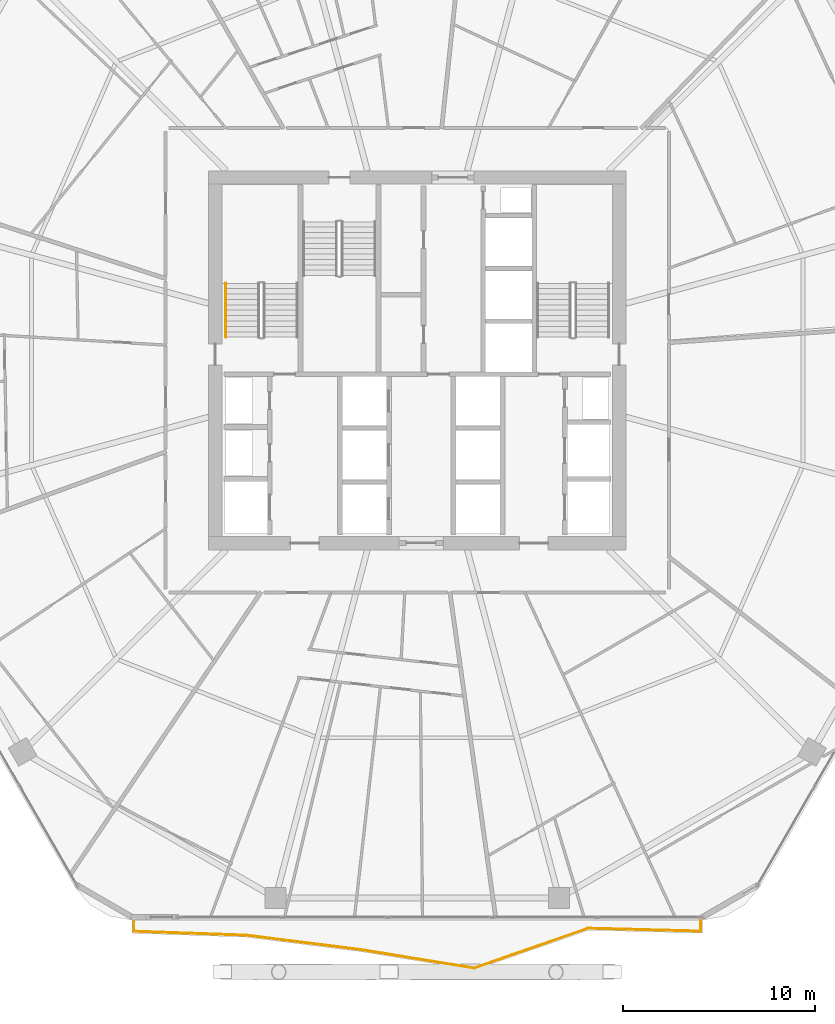
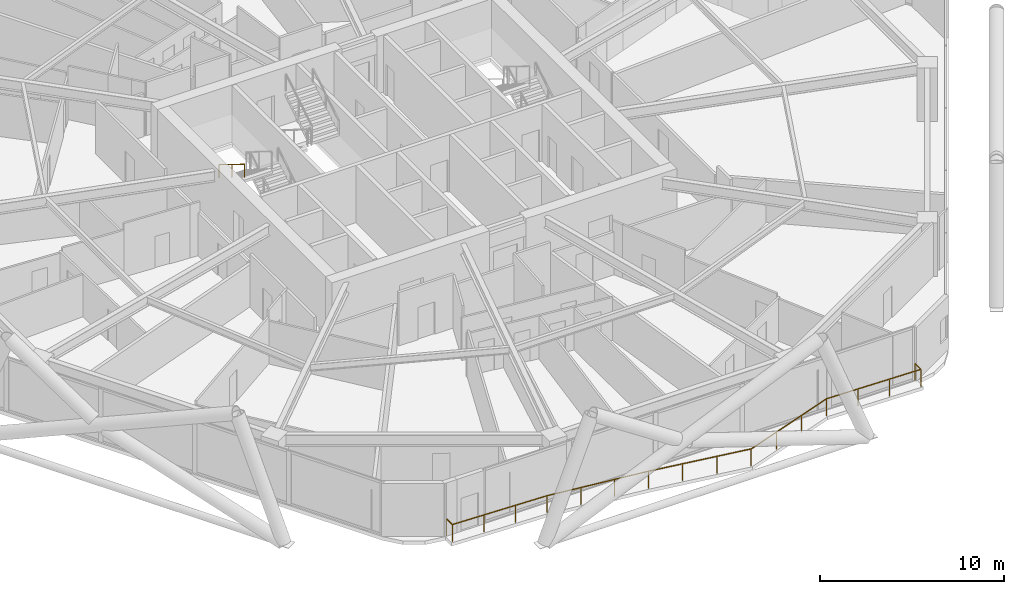
# One storey, part 33 of 35: 2 railings.
"""IFC4 building model written with IfcOpenShell, lengths in metres."""

import ifcopenshell
import ifcopenshell.guid

model = None  # the IFC model being written
_history = None  # IfcOwnerHistory: only IFC2X3 demands one
_inside = {}  # id of a spatial element -> (the spatial element, [elements in it])
_under = {}  # id of a project, library or spatial element -> (it, [spatial elements below it])
_declared = {}  # id of a project -> (the project, [libraries it declares])
_typed = {}  # id of a type object -> (the type object, [elements of that type])
_made_of = {}  # id of a material, layer set ... -> (it, [elements and type objects made of it])


def new_model(schema):
    """Start an empty IFC model of exactly this schema.

    Asked for "IFC4X3", IfcOpenShell would pick the latest addendum, in which some entities
    have other attributes; the version numbers below select the first issue.
    IFC2X3 requires an IfcOwnerHistory on every rooted entity: one is made here for all.
    """
    global model, _history
    if schema == "IFC4X3":
        model = ifcopenshell.file(schema_version=(4, 3, 0, 0))
    else:
        model = ifcopenshell.file(schema=schema)
    _inside.clear()
    _under.clear()
    _declared.clear()
    _typed.clear()
    _made_of.clear()
    _history = None
    if model.schema == "IFC2X3":
        org = make("IfcOrganization", Name="unknown")
        user = make(
            "IfcPersonAndOrganization",
            ThePerson=make("IfcPerson", FamilyName="unknown"),
            TheOrganization=org,
        )
        app = make(
            "IfcApplication",
            ApplicationDeveloper=org,
            Version="unknown",
            ApplicationFullName="unknown",
            ApplicationIdentifier="unknown",
        )
        _history = make(
            "IfcOwnerHistory",
            OwningUser=user,
            OwningApplication=app,
            ChangeAction="ADDED",
            CreationDate=0,
        )
    return model


def make(cls, **values):
    """One entity of the class cls with the attributes given. An attribute that is None is left unset."""
    return model.create_entity(
        cls, **{name: value for name, value in values.items() if value is not None}
    )


def rooted(cls, **values):
    """An entity with a GlobalId (a new one), such as an element, a storey or a relation."""
    return make(cls, GlobalId=ifcopenshell.guid.new(), OwnerHistory=_history, **values)


def si_unit(unit_type, name, prefix=None):
    """IfcSIUnit, for example si_unit("LENGTHUNIT", "METRE", prefix="MILLI")."""
    return make("IfcSIUnit", UnitType=unit_type, Prefix=prefix, Name=name)


def assignment(units):
    """IfcUnitAssignment: the units of a project."""
    return None if units is None else make("IfcUnitAssignment", Units=units)


def point(xyz):
    """IfcCartesianPoint."""
    return None if xyz is None else make("IfcCartesianPoint", Coordinates=xyz)


def direction(xyz):
    """IfcDirection."""
    return None if xyz is None else make("IfcDirection", DirectionRatios=xyz)


def frame(location, z_axis=None, x_axis=None):
    """IfcAxis2Placement3D, a coordinate frame: its origin and axes. An axis left out is left unset."""
    return make(
        "IfcAxis2Placement3D",
        Location=point(location),
        Axis=direction(z_axis),
        RefDirection=direction(x_axis),
    )


def frame_2d(location, x_axis=None):
    """IfcAxis2Placement2D, a coordinate frame in the plane: its origin and x axis."""
    return make(
        "IfcAxis2Placement2D", Location=point(location), RefDirection=direction(x_axis)
    )


def origin():
    """The frame at (0, 0, 0) with its axes left unset."""
    return frame((0.0, 0.0, 0.0))


def origin_2d():
    """The frame at (0, 0) in the plane with its x axis left unset."""
    return frame_2d((0.0, 0.0))


def place(relative_to, where):
    """IfcLocalPlacement: puts the frame where relative to a parent placement (None: the world)."""
    return make(
        "IfcLocalPlacement", PlacementRelTo=relative_to, RelativePlacement=where
    )


def context(
    kind, dimensions, precision=None, world=None, true_north=None, identifier=None
):
    """IfcGeometricRepresentationContext, for example the 3D "Model" context."""
    return make(
        "IfcGeometricRepresentationContext",
        ContextIdentifier=identifier,
        ContextType=kind,
        CoordinateSpaceDimension=dimensions,
        Precision=precision,
        WorldCoordinateSystem=world,
        TrueNorth=true_north,
    )


def subcontext(parent, identifier, kind, view, scale=None):
    """IfcGeometricRepresentationSubContext, for example "Body" below "Model"."""
    return make(
        "IfcGeometricRepresentationSubContext",
        ContextIdentifier=identifier,
        ContextType=kind,
        ParentContext=parent,
        TargetScale=scale,
        TargetView=view,
    )


def project(units=None, contexts=None):
    """IfcProject with its units and contexts."""
    return rooted(
        "IfcProject",
        Name="project",
        RepresentationContexts=contexts,
        UnitsInContext=assignment(units),
    )


def spatial(cls, under=None, at=None, **own):
    """A site, building, storey or space (cls), placed at a placement, below another one or the project."""
    s = rooted(cls, ObjectPlacement=at, **own)
    if under is not None:
        _under.setdefault(under.id(), (under, []))[1].append(s)
    return s


def profile(cls, at=None, kind="AREA", **sizes):
    """A parametric profile (cls). Its sizes go by their IFC names, for example OverallWidth=200.0."""
    return make(cls, ProfileType=kind, Position=at, **sizes)


def rectangle(**sizes):
    """IfcRectangleProfileDef."""
    return profile("IfcRectangleProfileDef", **sizes)


def extrude(swept, where, along, depth):
    """IfcExtrudedAreaSolid: the profile swept, set in the frame where, extruded along a direction by depth."""
    return make(
        "IfcExtrudedAreaSolid",
        SweptArea=swept,
        Position=where,
        ExtrudedDirection=direction(along),
        Depth=depth,
    )


def shape(context_of_items, identifier, shape_type, items):
    """IfcShapeRepresentation: the items that make up one representation, for example the "Body"."""
    return make(
        "IfcShapeRepresentation",
        ContextOfItems=context_of_items,
        RepresentationIdentifier=identifier,
        RepresentationType=shape_type,
        Items=items,
    )


def material(Name=None, Category=None):
    """IfcMaterial."""
    return make("IfcMaterial", Name=Name, Category=Category)


def made_of(thing, what):
    """Note that an element or type object is made of a material, layer set ...; save() writes the relation."""
    if what is not None:
        _made_of.setdefault(what.id(), (what, []))[1].append(thing)
    return thing


def type_object(cls, material=None, **own):
    """A type object (cls), such as IfcWallType, which elements share."""
    return made_of(rooted(cls, **own), material)


def element(
    cls,
    number,
    at=None,
    inside=None,
    cuts=None,
    type_object=None,
    material=None,
    context=None,
    identifier="Body",
    shape_type=None,
    held_by="IfcProductDefinitionShape",
    body=None,
    shapes=None,
    **own,
):
    """One element of the class cls, such as IfcWall. Its Tag is "e" and its number.

    at: its placement. inside: the storey or other place that contains it. cuts: it is an
    opening in that element (IfcRelVoidsElement). A single representation is given by context,
    identifier, shape_type and body (its items); several are given by shapes. held_by: the class
    of the entity that holds the representations. save() writes the other relations.
    """
    e = rooted(cls, Tag="e%d" % number, ObjectPlacement=at, **own)
    if body is not None:
        shapes = [shape(context, identifier, shape_type, body)]
    if shapes is not None:
        e.Representation = make(held_by, Representations=shapes)
    if inside is not None:
        _inside.setdefault(inside.id(), (inside, []))[1].append(e)
    if cuts is not None:
        rooted(
            "IfcRelVoidsElement", RelatingBuildingElement=cuts, RelatedOpeningElement=e
        )
    if type_object is not None:
        _typed.setdefault(type_object.id(), (type_object, []))[1].append(e)
    return made_of(e, material)


def aggregate(whole, parts):
    """IfcRelAggregates: a whole, such as a stair, and the parts it consists of."""
    return rooted("IfcRelAggregates", RelatingObject=whole, RelatedObjects=parts)


def save(model, path):
    """Write the relations noted so far, then the file.

    IfcRelAggregates (storeys below a building ...), IfcRelContainedInSpatialStructure (elements
    in a storey), IfcRelDefinesByType, IfcRelAssociatesMaterial and IfcRelDeclares: one each for
    every whole, place, type object, material and project.
    """
    for whole, parts in _under.values():
        aggregate(whole, parts)
    for where, things in _inside.values():
        rooted(
            "IfcRelContainedInSpatialStructure",
            RelatedElements=things,
            RelatingStructure=where,
        )
    for kind, things in _typed.values():
        rooted("IfcRelDefinesByType", RelatedObjects=things, RelatingType=kind)
    for what, things in _made_of.values():
        rooted("IfcRelAssociatesMaterial", RelatedObjects=things, RelatingMaterial=what)
    for by, libraries in _declared.values():
        rooted("IfcRelDeclares", RelatingContext=by, RelatedDefinitions=libraries)
    model.write(path)


model = new_model("IFC4")

# Units and contexts
model_context = context("Model", 3, precision=1e-05, world=origin(), true_north=direction((0.0, 1.0)))
body_context = subcontext(model_context, "Body", "Model", "MODEL_VIEW")
ifc_project = project(units=[si_unit("LENGTHUNIT", "METRE"), si_unit("AREAUNIT", "SQUARE_METRE"), si_unit("VOLUMEUNIT", "CUBIC_METRE"), si_unit("PLANEANGLEUNIT", "RADIAN"), si_unit("MASSUNIT", "GRAM", prefix="KILO")], contexts=[model_context])

# Site, building, storey
site_placement = place(None, origin())
site = spatial("IfcSite", under=ifc_project, at=site_placement, CompositionType="ELEMENT")
building_placement = place(site_placement, origin())
building = spatial("IfcBuilding", under=site, at=building_placement, Name="Zuhravey Tower", CompositionType="ELEMENT")
storey_placement = place(building_placement, frame((0.0, 0.0, 92.39990234375)))
storey = spatial("IfcBuildingStorey", under=building, at=storey_placement, Name="L22", CompositionType="ELEMENT", Elevation=92.39990234375)

# Railings
ifc_material_1 = material(Name="Stainless steel 316 and laminated glass", Category="steel")
railing_type_1 = type_object("IfcRailingType", Name="Balcony & Terrace Guardrail 1150", PredefinedType="BALUSTRADE", material=ifc_material_1)
railing_1_placement = place(storey_placement, frame((50.728271484375, 2.95654296875, 0.0)))
element("IfcRailing", 1, at=railing_1_placement, inside=storey, type_object=railing_type_1, Name="L22 Face 5 Wave Balcony Guardrail GR1", PredefinedType="BALUSTRADE", context=body_context, shape_type="SweptSolid", body=[
    extrude(rectangle(XDim=0.048095703125, YDim=0.048095703125, at=origin_2d()), frame((0.0, -0.001953125, 1.1259765625), z_axis=(0.0, -1.0, 0.0), x_axis=(1.0, 0.0, 0.0)), (0.0, 0.0, 1.0), 0.633544921875),
    extrude(rectangle(XDim=0.048095703125, YDim=0.048095703125, at=origin_2d()), frame((-0.001953125, -0.637451171875, 1.1259765625), z_axis=(-0.999667221424, 0.025796247979, 0.0), x_axis=(-0.025796247979, -0.999667221424, 0.0)), (0.0, 0.0, 1.0), 5.844970703125),
    extrude(rectangle(XDim=0.048095703125, YDim=0.048095703125, at=origin_2d()), frame((-5.848876953125, -0.4873046875, 1.1259765625), z_axis=(-0.944045612029, -0.329814921448, 0.0), x_axis=(0.329814921448, -0.944045612029, 0.0)), (0.0, 0.0, 1.0), 6.271728515625),
    extrude(rectangle(XDim=0.048095703125, YDim=0.048095703125, at=origin_2d()), frame((-11.7734375, -2.55615234375, 1.1259765625), z_axis=(-0.987081777672, 0.160217240607, 0.0), x_axis=(-0.160217240607, -0.987081777672, 0.0)), (0.0, 0.0, 1.0), 5.9814453125),
    extrude(rectangle(XDim=0.048095703125, YDim=0.048095703125, at=origin_2d()), frame((-17.681640625, -1.59716796875, 1.1259765625), z_axis=(-0.992141718114, 0.125119187889, 0.0), x_axis=(-0.125119187889, -0.992141718114, 0.0)), (0.0, 0.0, 1.0), 5.98046875),
    extrude(rectangle(XDim=0.048095703125, YDim=0.048095703125, at=origin_2d()), frame((-23.619140625, -0.8486328125, 1.1259765625), z_axis=(-0.99938386294, 0.035098354581, 0.0), x_axis=(-0.035098354581, -0.99938386294, 0.0)), (0.0, 0.0, 1.0), 5.8388671875),
    extrude(rectangle(XDim=0.048095703125, YDim=0.048095703125, at=origin_2d()), frame((-29.45654296875, -0.6416015625, 1.1259765625), z_axis=(0.0, 1.0, 0.0), x_axis=(-1.0, 0.0, 0.0)), (0.0, 0.0, 1.0), 0.6396484375),
    extrude(rectangle(XDim=0.0419921875, YDim=0.0419921875, at=origin_2d()), origin(), (0.0, 0.0, 1.0), 1.099853515625),
    extrude(rectangle(XDim=0.0419921875, YDim=0.0419921875, at=origin_2d()), frame((0.0, -0.637451171875, 0.0)), (0.0, 0.0, 1.0), 1.099853515625),
    extrude(rectangle(XDim=0.0419921875, YDim=0.0419921875, at=origin_2d()), frame((-1.948974609375, -0.587158203125, 0.0)), (0.0, 0.0, 1.0), 1.099853515625),
    extrude(rectangle(XDim=0.0419921875, YDim=0.0419921875, at=origin_2d()), frame((-3.89794921875, -0.536865234375, 0.0)), (0.0, 0.0, 1.0), 1.099853515625),
    extrude(rectangle(XDim=0.0419921875, YDim=0.0419921875, at=origin_2d()), frame((-5.846923828125, -0.486572265625, 0.0)), (0.0, 0.0, 1.0), 1.099853515625),
    extrude(rectangle(XDim=0.0419921875, YDim=0.0419921875, at=origin_2d()), frame((-7.82177734375, -1.176513671875, 0.0)), (0.0, 0.0, 1.0), 1.099853515625),
    extrude(rectangle(XDim=0.0419921875, YDim=0.0419921875, at=origin_2d()), frame((-9.796630859375, -1.866455078125, 0.0)), (0.0, 0.0, 1.0), 1.099853515625),
    extrude(rectangle(XDim=0.0419921875, YDim=0.0419921875, at=origin_2d()), frame((-11.771484375, -2.556396484375, 0.0)), (0.0, 0.0, 1.0), 1.099853515625),
    extrude(rectangle(XDim=0.0419921875, YDim=0.0419921875, at=origin_2d()), frame((-13.740966796875, -2.23681640625, 0.0)), (0.0, 0.0, 1.0), 1.099853515625),
    extrude(rectangle(XDim=0.0419921875, YDim=0.0419921875, at=origin_2d()), frame((-15.710205078125, -1.9169921875, 0.0)), (0.0, 0.0, 1.0), 1.099853515625),
    extrude(rectangle(XDim=0.0419921875, YDim=0.0419921875, at=origin_2d()), frame((-17.6796875, -1.597412109375, 0.0)), (0.0, 0.0, 1.0), 1.099853515625),
    extrude(rectangle(XDim=0.0419921875, YDim=0.0419921875, at=origin_2d()), frame((-19.658935546875, -1.347900390625, 0.0)), (0.0, 0.0, 1.0), 1.099853515625),
    extrude(rectangle(XDim=0.0419921875, YDim=0.0419921875, at=origin_2d()), frame((-21.637939453125, -1.09814453125, 0.0)), (0.0, 0.0, 1.0), 1.099853515625),
    extrude(rectangle(XDim=0.0419921875, YDim=0.0419921875, at=origin_2d()), frame((-23.6171875, -0.8486328125, 0.0)), (0.0, 0.0, 1.0), 1.099853515625),
    extrude(rectangle(XDim=0.0419921875, YDim=0.0419921875, at=origin_2d()), frame((-25.563720703125, -0.7802734375, 0.0)), (0.0, 0.0, 1.0), 1.099853515625),
    extrude(rectangle(XDim=0.0419921875, YDim=0.0419921875, at=origin_2d()), frame((-27.510009765625, -0.7119140625, 0.0)), (0.0, 0.0, 1.0), 1.099853515625),
    extrude(rectangle(XDim=0.0419921875, YDim=0.0419921875, at=origin_2d()), frame((-29.45654296875, -0.6435546875, 0.0)), (0.0, 0.0, 1.0), 1.099853515625),
    extrude(rectangle(XDim=0.0419921875, YDim=0.0419921875, at=origin_2d()), frame((-29.45654296875, 0.0, 0.0)), (0.0, 0.0, 1.0), 1.099853515625),
])
ifc_material_2 = material(Name="Brushed stainless steel", Category="steel")
railing_type_2 = type_object("IfcRailingType", Name="Stair Wall Handrail 900", PredefinedType="HANDRAIL", material=ifc_material_2)
railing_2_placement = place(storey_placement, frame((26.050048828125, 36.0, 2.07275390625)))
element("IfcRailing", 2, at=railing_2_placement, inside=storey, type_object=railing_type_2, Name="L22 ST1 stair handrail 2", PredefinedType="HANDRAIL", context=body_context, shape_type="SweptSolid", body=[
    extrude(rectangle(XDim=0.048095703125, YDim=0.048095703125, at=origin_2d()), frame((0.0, -0.001708984375, 0.876953125), z_axis=(0.0, -0.851089632645, 0.525020415988), x_axis=(1.0, 0.0, 0.0)), (0.0, 0.0, 1.0), 3.285888671875),
    extrude(rectangle(XDim=0.0419921875, YDim=0.0419921875, at=origin_2d()), origin(), (0.0, 0.0, 1.0), 0.849853515625),
    extrude(rectangle(XDim=0.0419921875, YDim=0.0419921875, at=origin_2d()), frame((0.0, -1.39990234375, 0.86376953125)), (0.0, 0.0, 1.0), 0.849853515625),
    extrude(rectangle(XDim=0.0419921875, YDim=0.0419921875, at=origin_2d()), frame((0.0, -2.800048828125, 1.727294921875)), (0.0, 0.0, 1.0), 0.849853515625),
])

save(model, "model.ifc")
